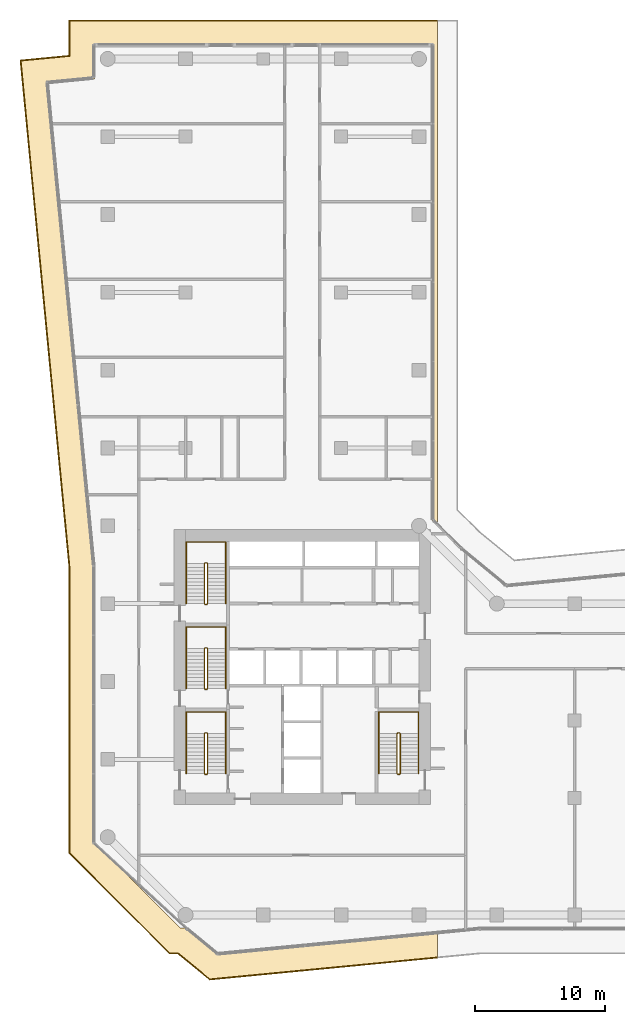
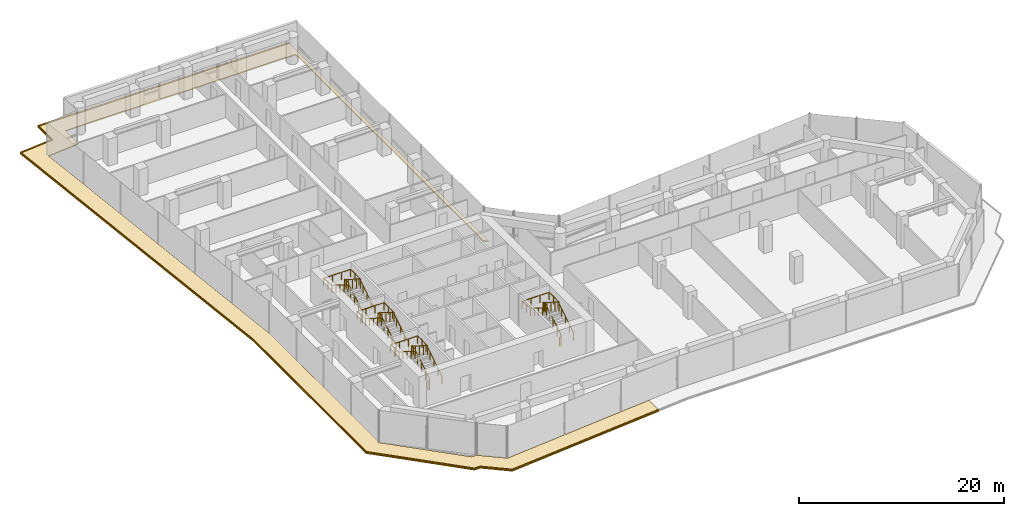
# One storey, part 29 of 30: 8 railings, 2 coverings.
"""IFC4 building model written with IfcOpenShell, lengths in metres."""

from ifc_helpers import new_model, si_unit, direction, frame, origin, origin_2d, place, context, subcontext, project, spatial, polyline, circle, outline, extrude, material, layer, layer_set, type_object, element, save


model = new_model("IFC4")

# Units and contexts
model_context = context("Model", 3, precision=1e-05, world=origin(), true_north=direction((0.0, 1.0)))
body_context = subcontext(model_context, "Body", "Model", "MODEL_VIEW")
ifc_project = project(units=[si_unit("LENGTHUNIT", "METRE"), si_unit("AREAUNIT", "SQUARE_METRE"), si_unit("VOLUMEUNIT", "CUBIC_METRE"), si_unit("PLANEANGLEUNIT", "RADIAN"), si_unit("MASSUNIT", "GRAM", prefix="KILO")], contexts=[model_context])

# Site, building, storey
site_placement = place(None, origin())
site = spatial("IfcSite", under=ifc_project, at=site_placement, CompositionType="ELEMENT")
building_placement = place(site_placement, origin())
building = spatial("IfcBuilding", under=site, at=building_placement, Name="Welwitschia Terrace Campus", CompositionType="ELEMENT")
storey_placement = place(building_placement, frame((0.0, 0.0, 75.199951171875)))
storey = spatial("IfcBuildingStorey", under=building, at=storey_placement, Name="L17", CompositionType="ELEMENT", Elevation=75.199951171875)

# Railings
ifc_material_1 = material(Name="Steel S355", Category="steel")
railing_type_1 = type_object("IfcRailingType", Name="Stair guard 1100", PredefinedType="GUARDRAIL", material=ifc_material_1)
railing_1_placement = place(storey_placement, frame((7.5, 6.85009765625, 0.0)))
element("IfcRailing", 1, at=railing_1_placement, inside=storey, type_object=railing_type_1, Name="L17 S1 stair guard", PredefinedType="GUARDRAIL", context=body_context, shape_type="SweptSolid", body=[
    extrude(circle(Radius=0.02392578125, at=origin_2d()), frame((0.0, 0.0, 1.076171875), z_axis=(1.0, 0.0, 0.0), x_axis=(0.0, 1.0, 0.0)), (0.0, 0.0, 1.0), 0.14990234375),
    extrude(circle(Radius=0.02392578125, at=origin_2d()), frame((0.14990234375, 0.0, 1.076171875), z_axis=(0.265155923931, 0.263862480399, 0.927399011991), x_axis=(-0.705375805398, 0.708833529934, 0.0)), (0.0, 0.0, 1.0), 0.188720703125),
    extrude(circle(Radius=0.02392578125, at=origin_2d()), frame((0.199951171875, 0.0498046875, 1.2509765625), z_axis=(0.0, 0.847998304005, 0.529998940003), x_axis=(-1.0, 0.0, 0.0)), (0.0, 0.0, 1.0), 3.632080078125),
    extrude(circle(Radius=0.02392578125, at=origin_2d()), frame((0.199951171875, 3.1298828125, 3.17626953125), z_axis=(-0.707106781187, 0.707106781187, 0.0), x_axis=(-0.707106781187, -0.707106781187, 0.0)), (0.0, 0.0, 1.0), 0.07080078125),
    extrude(circle(Radius=0.02392578125, at=origin_2d()), frame((0.14990234375, 3.179931640625, 3.17626953125), z_axis=(-1.0, 0.0, 0.0), x_axis=(0.0, -1.0, 0.0)), (0.0, 0.0, 1.0), 0.14990234375),
    extrude(circle(Radius=0.02392578125, at=origin_2d()), frame((0.0, 3.179931640625, 3.17626953125), z_axis=(-0.265065253269, -0.265065253269, 0.927081885822), x_axis=(0.707106781187, -0.707106781187, 0.0)), (0.0, 0.0, 1.0), 0.188720703125),
    extrude(circle(Radius=0.02392578125, at=origin_2d()), frame((-0.050048828125, 3.1298828125, 3.35107421875), z_axis=(0.0, -0.848028513186, 0.529950602248), x_axis=(1.0, 0.0, 0.0)), (0.0, 0.0, 1.0), 3.632080078125),
    extrude(circle(Radius=0.02099609375, at=origin_2d()), origin(), (0.0, 0.0, 1.0), 1.052001953125),
    extrude(circle(Radius=0.02099609375, at=origin_2d()), frame((0.14990234375, 0.0, 0.0)), (0.0, 0.0, 1.0), 1.052001953125),
    extrude(circle(Radius=0.02099609375, at=origin_2d()), frame((0.199951171875, 0.0498046875, 0.175048828125)), (0.0, 0.0, 1.0), 1.052001953125),
    extrude(circle(Radius=0.02099609375, at=origin_2d()), frame((0.199951171875, 0.81982421875, 0.65625)), (0.0, 0.0, 1.0), 1.052001953125),
    extrude(circle(Radius=0.02099609375, at=origin_2d()), frame((0.199951171875, 1.58984375, 1.1376953125)), (0.0, 0.0, 1.0), 1.052001953125),
    extrude(circle(Radius=0.02099609375, at=origin_2d()), frame((0.199951171875, 2.35986328125, 1.618896484375)), (0.0, 0.0, 1.0), 1.052001953125),
    extrude(circle(Radius=0.02099609375, at=origin_2d()), frame((0.199951171875, 3.1298828125, 2.10009765625)), (0.0, 0.0, 1.0), 1.052001953125),
    extrude(circle(Radius=0.02099609375, at=origin_2d()), frame((0.14990234375, 3.179931640625, 2.10009765625)), (0.0, 0.0, 1.0), 1.052001953125),
    extrude(circle(Radius=0.02099609375, at=origin_2d()), frame((0.0, 3.179931640625, 2.10009765625)), (0.0, 0.0, 1.0), 1.052001953125),
    extrude(circle(Radius=0.02099609375, at=origin_2d()), frame((-0.050048828125, 3.1298828125, 2.275146484375)), (0.0, 0.0, 1.0), 1.052001953125),
    extrude(circle(Radius=0.02099609375, at=origin_2d()), frame((-0.050048828125, 2.35986328125, 2.75634765625)), (0.0, 0.0, 1.0), 1.052001953125),
    extrude(circle(Radius=0.02099609375, at=origin_2d()), frame((-0.050048828125, 1.58984375, 3.237548828125)), (0.0, 0.0, 1.0), 1.052001953125),
    extrude(circle(Radius=0.02099609375, at=origin_2d()), frame((-0.050048828125, 0.81982421875, 3.71875)), (0.0, 0.0, 1.0), 1.052001953125),
    extrude(circle(Radius=0.02099609375, at=origin_2d()), frame((-0.050048828125, 0.0498046875, 4.199951171875)), (0.0, 0.0, 1.0), 1.052001953125),
])
railing_2_placement = place(storey_placement, frame((7.5, 13.39990234375, 0.0)))
element("IfcRailing", 2, at=railing_2_placement, inside=storey, type_object=railing_type_1, Name="L17 S3 stair guard", PredefinedType="GUARDRAIL", context=body_context, shape_type="SweptSolid", body=[
    extrude(circle(Radius=0.02392578125, at=origin_2d()), frame((0.0, 0.0, 1.076171875), z_axis=(1.0, 0.0, 0.0), x_axis=(0.0, 1.0, 0.0)), (0.0, 0.0, 1.0), 0.14990234375),
    extrude(circle(Radius=0.02392578125, at=origin_2d()), frame((0.14990234375, 0.0, 1.076171875), z_axis=(0.265065253269, 0.265065253269, 0.927081885822), x_axis=(-0.707106781187, 0.707106781187, 0.0)), (0.0, 0.0, 1.0), 0.188720703125),
    extrude(circle(Radius=0.02392578125, at=origin_2d()), frame((0.199951171875, 0.050048828125, 1.2509765625), z_axis=(0.0, 0.847998304005, 0.529998940003), x_axis=(-1.0, 0.0, 0.0)), (0.0, 0.0, 1.0), 3.632080078125),
    extrude(circle(Radius=0.02392578125, at=origin_2d()), frame((0.199951171875, 3.130126953125, 3.17626953125), z_axis=(-0.707106781187, 0.707106781187, 0.0), x_axis=(-0.707106781187, -0.707106781187, 0.0)), (0.0, 0.0, 1.0), 0.07080078125),
    extrude(circle(Radius=0.02392578125, at=origin_2d()), frame((0.14990234375, 3.18017578125, 3.17626953125), z_axis=(-1.0, 0.0, 0.0), x_axis=(0.0, -1.0, 0.0)), (0.0, 0.0, 1.0), 0.14990234375),
    extrude(circle(Radius=0.02392578125, at=origin_2d()), frame((0.0, 3.18017578125, 3.17626953125), z_axis=(-0.265065253269, -0.265065253269, 0.927081885822), x_axis=(0.707106781187, -0.707106781187, 0.0)), (0.0, 0.0, 1.0), 0.188720703125),
    extrude(circle(Radius=0.02392578125, at=origin_2d()), frame((-0.050048828125, 3.130126953125, 3.35107421875), z_axis=(0.0, -0.848028513186, 0.529950602248), x_axis=(1.0, 0.0, 0.0)), (0.0, 0.0, 1.0), 3.632080078125),
    extrude(circle(Radius=0.02099609375, at=origin_2d()), origin(), (0.0, 0.0, 1.0), 1.052001953125),
    extrude(circle(Radius=0.02099609375, at=origin_2d()), frame((0.14990234375, 0.0, 0.0)), (0.0, 0.0, 1.0), 1.052001953125),
    extrude(circle(Radius=0.02099609375, at=origin_2d()), frame((0.199951171875, 0.050048828125, 0.175048828125)), (0.0, 0.0, 1.0), 1.052001953125),
    extrude(circle(Radius=0.02099609375, at=origin_2d()), frame((0.199951171875, 0.820068359375, 0.65625)), (0.0, 0.0, 1.0), 1.052001953125),
    extrude(circle(Radius=0.02099609375, at=origin_2d()), frame((0.199951171875, 1.590087890625, 1.1376953125)), (0.0, 0.0, 1.0), 1.052001953125),
    extrude(circle(Radius=0.02099609375, at=origin_2d()), frame((0.199951171875, 2.360107421875, 1.618896484375)), (0.0, 0.0, 1.0), 1.052001953125),
    extrude(circle(Radius=0.02099609375, at=origin_2d()), frame((0.199951171875, 3.130126953125, 2.10009765625)), (0.0, 0.0, 1.0), 1.052001953125),
    extrude(circle(Radius=0.02099609375, at=origin_2d()), frame((0.14990234375, 3.18017578125, 2.10009765625)), (0.0, 0.0, 1.0), 1.052001953125),
    extrude(circle(Radius=0.02099609375, at=origin_2d()), frame((0.0, 3.18017578125, 2.10009765625)), (0.0, 0.0, 1.0), 1.052001953125),
    extrude(circle(Radius=0.02099609375, at=origin_2d()), frame((-0.050048828125, 3.130126953125, 2.275146484375)), (0.0, 0.0, 1.0), 1.052001953125),
    extrude(circle(Radius=0.02099609375, at=origin_2d()), frame((-0.050048828125, 2.360107421875, 2.75634765625)), (0.0, 0.0, 1.0), 1.052001953125),
    extrude(circle(Radius=0.02099609375, at=origin_2d()), frame((-0.050048828125, 1.590087890625, 3.237548828125)), (0.0, 0.0, 1.0), 1.052001953125),
    extrude(circle(Radius=0.02099609375, at=origin_2d()), frame((-0.050048828125, 0.820068359375, 3.71875)), (0.0, 0.0, 1.0), 1.052001953125),
    extrude(circle(Radius=0.02099609375, at=origin_2d()), frame((-0.050048828125, 0.050048828125, 4.199951171875)), (0.0, 0.0, 1.0), 1.052001953125),
])
railing_3_placement = place(storey_placement, frame((7.5, 19.949951171875, 0.0)))
element("IfcRailing", 3, at=railing_3_placement, inside=storey, type_object=railing_type_1, Name="L17 S4 stair guard", PredefinedType="GUARDRAIL", context=body_context, shape_type="SweptSolid", body=[
    extrude(circle(Radius=0.02392578125, at=origin_2d()), frame((0.0, 0.0, 1.076171875), z_axis=(1.0, 0.0, 0.0), x_axis=(0.0, 1.0, 0.0)), (0.0, 0.0, 1.0), 0.14990234375),
    extrude(circle(Radius=0.02392578125, at=origin_2d()), frame((0.14990234375, 0.0, 1.076171875), z_axis=(0.265065253269, 0.265065253269, 0.927081885822), x_axis=(-0.707106781187, 0.707106781187, 0.0)), (0.0, 0.0, 1.0), 0.188720703125),
    extrude(circle(Radius=0.02392578125, at=origin_2d()), frame((0.199951171875, 0.050048828125, 1.2509765625), z_axis=(0.0, 0.847998304005, 0.529998940003), x_axis=(-1.0, 0.0, 0.0)), (0.0, 0.0, 1.0), 3.632080078125),
    extrude(circle(Radius=0.02392578125, at=origin_2d()), frame((0.199951171875, 3.130126953125, 3.17626953125), z_axis=(-0.708833529934, 0.705375805398, 0.0), x_axis=(-0.705375805398, -0.708833529934, 0.0)), (0.0, 0.0, 1.0), 0.070556640625),
    extrude(circle(Radius=0.02392578125, at=origin_2d()), frame((0.14990234375, 3.179931640625, 3.17626953125), z_axis=(-1.0, 0.0, 0.0), x_axis=(0.0, -1.0, 0.0)), (0.0, 0.0, 1.0), 0.14990234375),
    extrude(circle(Radius=0.02392578125, at=origin_2d()), frame((0.0, 3.179931640625, 3.17626953125), z_axis=(-0.265155923931, -0.263862480399, 0.927399011991), x_axis=(0.705375805398, -0.708833529934, 0.0)), (0.0, 0.0, 1.0), 0.188720703125),
    extrude(circle(Radius=0.02392578125, at=origin_2d()), frame((-0.050048828125, 3.130126953125, 3.35107421875), z_axis=(0.0, -0.848028513186, 0.529950602248), x_axis=(1.0, 0.0, 0.0)), (0.0, 0.0, 1.0), 3.632080078125),
    extrude(circle(Radius=0.02099609375, at=origin_2d()), origin(), (0.0, 0.0, 1.0), 1.052001953125),
    extrude(circle(Radius=0.02099609375, at=origin_2d()), frame((0.14990234375, 0.0, 0.0)), (0.0, 0.0, 1.0), 1.052001953125),
    extrude(circle(Radius=0.02099609375, at=origin_2d()), frame((0.199951171875, 0.050048828125, 0.175048828125)), (0.0, 0.0, 1.0), 1.052001953125),
    extrude(circle(Radius=0.02099609375, at=origin_2d()), frame((0.199951171875, 0.820068359375, 0.65625)), (0.0, 0.0, 1.0), 1.052001953125),
    extrude(circle(Radius=0.02099609375, at=origin_2d()), frame((0.199951171875, 1.590087890625, 1.1376953125)), (0.0, 0.0, 1.0), 1.052001953125),
    extrude(circle(Radius=0.02099609375, at=origin_2d()), frame((0.199951171875, 2.360107421875, 1.618896484375)), (0.0, 0.0, 1.0), 1.052001953125),
    extrude(circle(Radius=0.02099609375, at=origin_2d()), frame((0.199951171875, 3.130126953125, 2.10009765625)), (0.0, 0.0, 1.0), 1.052001953125),
    extrude(circle(Radius=0.02099609375, at=origin_2d()), frame((0.14990234375, 3.179931640625, 2.10009765625)), (0.0, 0.0, 1.0), 1.052001953125),
    extrude(circle(Radius=0.02099609375, at=origin_2d()), frame((0.0, 3.179931640625, 2.10009765625)), (0.0, 0.0, 1.0), 1.052001953125),
    extrude(circle(Radius=0.02099609375, at=origin_2d()), frame((-0.050048828125, 3.130126953125, 2.275146484375)), (0.0, 0.0, 1.0), 1.052001953125),
    extrude(circle(Radius=0.02099609375, at=origin_2d()), frame((-0.050048828125, 2.360107421875, 2.75634765625)), (0.0, 0.0, 1.0), 1.052001953125),
    extrude(circle(Radius=0.02099609375, at=origin_2d()), frame((-0.050048828125, 1.590087890625, 3.237548828125)), (0.0, 0.0, 1.0), 1.052001953125),
    extrude(circle(Radius=0.02099609375, at=origin_2d()), frame((-0.050048828125, 0.820068359375, 3.71875)), (0.0, 0.0, 1.0), 1.052001953125),
    extrude(circle(Radius=0.02099609375, at=origin_2d()), frame((-0.050048828125, 0.050048828125, 4.199951171875)), (0.0, 0.0, 1.0), 1.052001953125),
])
railing_4_placement = place(storey_placement, frame((22.35009765625, 6.85009765625, 0.0)))
element("IfcRailing", 4, at=railing_4_placement, inside=storey, type_object=railing_type_1, Name="L17 S2 stair guard", PredefinedType="GUARDRAIL", context=body_context, shape_type="SweptSolid", body=[
    extrude(circle(Radius=0.02392578125, at=origin_2d()), frame((0.0, 0.0, 1.076171875), z_axis=(1.0, 0.0, 0.0), x_axis=(0.0, 1.0, 0.0)), (0.0, 0.0, 1.0), 0.14990234375),
    extrude(circle(Radius=0.02392578125, at=origin_2d()), frame((0.14990234375, 0.0, 1.076171875), z_axis=(0.265155923931, 0.263862480399, 0.927399011991), x_axis=(-0.705375805398, 0.708833529934, 0.0)), (0.0, 0.0, 1.0), 0.188720703125),
    extrude(circle(Radius=0.02392578125, at=origin_2d()), frame((0.199951171875, 0.0498046875, 1.2509765625), z_axis=(0.0, 0.847998304005, 0.529998940003), x_axis=(-1.0, 0.0, 0.0)), (0.0, 0.0, 1.0), 3.632080078125),
    extrude(circle(Radius=0.02392578125, at=origin_2d()), frame((0.199951171875, 3.1298828125, 3.17626953125), z_axis=(-0.707106781187, 0.707106781187, 0.0), x_axis=(-0.707106781187, -0.707106781187, 0.0)), (0.0, 0.0, 1.0), 0.07080078125),
    extrude(circle(Radius=0.02392578125, at=origin_2d()), frame((0.14990234375, 3.179931640625, 3.17626953125), z_axis=(-1.0, 0.0, 0.0), x_axis=(0.0, -1.0, 0.0)), (0.0, 0.0, 1.0), 0.14990234375),
    extrude(circle(Radius=0.02392578125, at=origin_2d()), frame((0.0, 3.179931640625, 3.17626953125), z_axis=(-0.265065253269, -0.265065253269, 0.927081885822), x_axis=(0.707106781187, -0.707106781187, 0.0)), (0.0, 0.0, 1.0), 0.188720703125),
    extrude(circle(Radius=0.02392578125, at=origin_2d()), frame((-0.050048828125, 3.1298828125, 3.35107421875), z_axis=(0.0, -0.848028513186, 0.529950602248), x_axis=(1.0, 0.0, 0.0)), (0.0, 0.0, 1.0), 3.632080078125),
    extrude(circle(Radius=0.02099609375, at=origin_2d()), origin(), (0.0, 0.0, 1.0), 1.052001953125),
    extrude(circle(Radius=0.02099609375, at=origin_2d()), frame((0.14990234375, 0.0, 0.0)), (0.0, 0.0, 1.0), 1.052001953125),
    extrude(circle(Radius=0.02099609375, at=origin_2d()), frame((0.199951171875, 0.0498046875, 0.175048828125)), (0.0, 0.0, 1.0), 1.052001953125),
    extrude(circle(Radius=0.02099609375, at=origin_2d()), frame((0.199951171875, 0.81982421875, 0.65625)), (0.0, 0.0, 1.0), 1.052001953125),
    extrude(circle(Radius=0.02099609375, at=origin_2d()), frame((0.199951171875, 1.58984375, 1.1376953125)), (0.0, 0.0, 1.0), 1.052001953125),
    extrude(circle(Radius=0.02099609375, at=origin_2d()), frame((0.199951171875, 2.35986328125, 1.618896484375)), (0.0, 0.0, 1.0), 1.052001953125),
    extrude(circle(Radius=0.02099609375, at=origin_2d()), frame((0.199951171875, 3.1298828125, 2.10009765625)), (0.0, 0.0, 1.0), 1.052001953125),
    extrude(circle(Radius=0.02099609375, at=origin_2d()), frame((0.14990234375, 3.179931640625, 2.10009765625)), (0.0, 0.0, 1.0), 1.052001953125),
    extrude(circle(Radius=0.02099609375, at=origin_2d()), frame((0.0, 3.179931640625, 2.10009765625)), (0.0, 0.0, 1.0), 1.052001953125),
    extrude(circle(Radius=0.02099609375, at=origin_2d()), frame((-0.050048828125, 3.1298828125, 2.275146484375)), (0.0, 0.0, 1.0), 1.052001953125),
    extrude(circle(Radius=0.02099609375, at=origin_2d()), frame((-0.050048828125, 2.35986328125, 2.75634765625)), (0.0, 0.0, 1.0), 1.052001953125),
    extrude(circle(Radius=0.02099609375, at=origin_2d()), frame((-0.050048828125, 1.58984375, 3.237548828125)), (0.0, 0.0, 1.0), 1.052001953125),
    extrude(circle(Radius=0.02099609375, at=origin_2d()), frame((-0.050048828125, 0.81982421875, 3.71875)), (0.0, 0.0, 1.0), 1.052001953125),
    extrude(circle(Radius=0.02099609375, at=origin_2d()), frame((-0.050048828125, 0.0498046875, 4.199951171875)), (0.0, 0.0, 1.0), 1.052001953125),
])
ifc_material_2 = material(Name="Steel S355", Category="steel")
railing_type_2 = type_object("IfcRailingType", Name="Stair handrail 900", PredefinedType="HANDRAIL", material=ifc_material_2)
railing_5_placement = place(storey_placement, frame((9.10009765625, 6.89990234375, 0.175048828125)))
element("IfcRailing", 5, at=railing_5_placement, inside=storey, type_object=railing_type_2, Name="L17 S1 stair handrail", PredefinedType="HANDRAIL", context=body_context, shape_type="SweptSolid", body=[
    extrude(circle(Radius=0.02392578125, at=origin_2d()), frame((0.0, 0.0, 0.8759765625), z_axis=(0.0, 0.847998304005, 0.529998940003), x_axis=(-1.0, 0.0, 0.0)), (0.0, 0.0, 1.0), 3.632080078125),
    extrude(circle(Radius=0.02392578125, at=origin_2d()), frame((0.0, 3.080078125, 2.80078125), z_axis=(0.0, 1.0, 0.0), x_axis=(-1.0, 0.0, 0.0)), (0.0, 0.0, 1.0), 1.669921875),
    extrude(circle(Radius=0.02392578125, at=origin_2d()), frame((0.0, 4.75, 2.80078125), z_axis=(-1.0, 0.0, 0.0), x_axis=(0.0, -1.0, 0.0)), (0.0, 0.0, 1.0), 3.050048828125),
    extrude(circle(Radius=0.02392578125, at=origin_2d()), frame((-3.050048828125, 4.75, 2.80078125), z_axis=(0.0, -0.99455077262, 0.104253348533), x_axis=(1.0, 0.0, 0.0)), (0.0, 0.0, 1.0), 1.678955078125),
    extrude(circle(Radius=0.02392578125, at=origin_2d()), frame((-3.050048828125, 3.080078125, 2.97607421875), z_axis=(0.0, -0.848028513186, 0.529950602248), x_axis=(1.0, 0.0, 0.0)), (0.0, 0.0, 1.0), 3.632080078125),
    extrude(circle(Radius=0.02099609375, at=origin_2d()), origin(), (0.0, 0.0, 1.0), 0.851806640625),
    extrude(circle(Radius=0.02099609375, at=origin_2d()), frame((0.0, 0.77001953125, 0.481201171875)), (0.0, 0.0, 1.0), 0.851806640625),
    extrude(circle(Radius=0.02099609375, at=origin_2d()), frame((0.0, 1.5400390625, 0.96240234375)), (0.0, 0.0, 1.0), 0.851806640625),
    extrude(circle(Radius=0.02099609375, at=origin_2d()), frame((0.0, 2.31005859375, 1.44384765625)), (0.0, 0.0, 1.0), 0.851806640625),
    extrude(circle(Radius=0.02099609375, at=origin_2d()), frame((0.0, 3.080078125, 1.925048828125)), (0.0, 0.0, 1.0), 0.851806640625),
    extrude(circle(Radius=0.02099609375, at=origin_2d()), frame((0.0, 3.9150390625, 1.925048828125)), (0.0, 0.0, 1.0), 0.851806640625),
    extrude(circle(Radius=0.02099609375, at=origin_2d()), frame((0.0, 4.75, 1.925048828125)), (0.0, 0.0, 1.0), 0.851806640625),
    extrude(circle(Radius=0.02099609375, at=origin_2d()), frame((-1.0166015625, 4.75, 1.925048828125)), (0.0, 0.0, 1.0), 0.851806640625),
    extrude(circle(Radius=0.02099609375, at=origin_2d()), frame((-2.033447265625, 4.75, 1.925048828125)), (0.0, 0.0, 1.0), 0.851806640625),
    extrude(circle(Radius=0.02099609375, at=origin_2d()), frame((-3.050048828125, 4.75, 1.925048828125)), (0.0, 0.0, 1.0), 0.851806640625),
    extrude(circle(Radius=0.02099609375, at=origin_2d()), frame((-3.050048828125, 3.9150390625, 2.0126953125)), (0.0, 0.0, 1.0), 0.851806640625),
    extrude(circle(Radius=0.02099609375, at=origin_2d()), frame((-3.050048828125, 3.080078125, 2.10009765625)), (0.0, 0.0, 1.0), 0.851806640625),
    extrude(circle(Radius=0.02099609375, at=origin_2d()), frame((-3.050048828125, 2.31005859375, 2.581298828125)), (0.0, 0.0, 1.0), 0.851806640625),
    extrude(circle(Radius=0.02099609375, at=origin_2d()), frame((-3.050048828125, 1.5400390625, 3.0625)), (0.0, 0.0, 1.0), 0.851806640625),
    extrude(circle(Radius=0.02099609375, at=origin_2d()), frame((-3.050048828125, 0.77001953125, 3.543701171875)), (0.0, 0.0, 1.0), 0.851806640625),
    extrude(circle(Radius=0.02099609375, at=origin_2d()), frame((-3.050048828125, 0.0, 4.02490234375)), (0.0, 0.0, 1.0), 0.851806640625),
])
railing_6_placement = place(storey_placement, frame((9.10009765625, 13.449951171875, 0.175048828125)))
element("IfcRailing", 6, at=railing_6_placement, inside=storey, type_object=railing_type_2, Name="L17 S3 stair handrail", PredefinedType="HANDRAIL", context=body_context, shape_type="SweptSolid", body=[
    extrude(circle(Radius=0.02392578125, at=origin_2d()), frame((0.0, 0.0, 0.8759765625), z_axis=(0.0, 0.847998304005, 0.529998940003), x_axis=(-1.0, 0.0, 0.0)), (0.0, 0.0, 1.0), 3.632080078125),
    extrude(circle(Radius=0.02392578125, at=origin_2d()), frame((0.0, 3.080078125, 2.80078125), z_axis=(0.0, 1.0, 0.0), x_axis=(-1.0, 0.0, 0.0)), (0.0, 0.0, 1.0), 1.669921875),
    extrude(circle(Radius=0.02392578125, at=origin_2d()), frame((0.0, 4.75, 2.80078125), z_axis=(-1.0, 0.0, 0.0), x_axis=(0.0, -1.0, 0.0)), (0.0, 0.0, 1.0), 3.050048828125),
    extrude(circle(Radius=0.02392578125, at=origin_2d()), frame((-3.050048828125, 4.75, 2.80078125), z_axis=(0.0, -0.99455077262, 0.104253348533), x_axis=(1.0, 0.0, 0.0)), (0.0, 0.0, 1.0), 1.678955078125),
    extrude(circle(Radius=0.02392578125, at=origin_2d()), frame((-3.050048828125, 3.080078125, 2.97607421875), z_axis=(0.0, -0.848028513186, 0.529950602248), x_axis=(1.0, 0.0, 0.0)), (0.0, 0.0, 1.0), 3.632080078125),
    extrude(circle(Radius=0.02099609375, at=origin_2d()), origin(), (0.0, 0.0, 1.0), 0.851806640625),
    extrude(circle(Radius=0.02099609375, at=origin_2d()), frame((0.0, 0.77001953125, 0.481201171875)), (0.0, 0.0, 1.0), 0.851806640625),
    extrude(circle(Radius=0.02099609375, at=origin_2d()), frame((0.0, 1.5400390625, 0.96240234375)), (0.0, 0.0, 1.0), 0.851806640625),
    extrude(circle(Radius=0.02099609375, at=origin_2d()), frame((0.0, 2.31005859375, 1.44384765625)), (0.0, 0.0, 1.0), 0.851806640625),
    extrude(circle(Radius=0.02099609375, at=origin_2d()), frame((0.0, 3.080078125, 1.925048828125)), (0.0, 0.0, 1.0), 0.851806640625),
    extrude(circle(Radius=0.02099609375, at=origin_2d()), frame((0.0, 3.9150390625, 1.925048828125)), (0.0, 0.0, 1.0), 0.851806640625),
    extrude(circle(Radius=0.02099609375, at=origin_2d()), frame((0.0, 4.75, 1.925048828125)), (0.0, 0.0, 1.0), 0.851806640625),
    extrude(circle(Radius=0.02099609375, at=origin_2d()), frame((-1.0166015625, 4.75, 1.925048828125)), (0.0, 0.0, 1.0), 0.851806640625),
    extrude(circle(Radius=0.02099609375, at=origin_2d()), frame((-2.033447265625, 4.75, 1.925048828125)), (0.0, 0.0, 1.0), 0.851806640625),
    extrude(circle(Radius=0.02099609375, at=origin_2d()), frame((-3.050048828125, 4.75, 1.925048828125)), (0.0, 0.0, 1.0), 0.851806640625),
    extrude(circle(Radius=0.02099609375, at=origin_2d()), frame((-3.050048828125, 3.9150390625, 2.0126953125)), (0.0, 0.0, 1.0), 0.851806640625),
    extrude(circle(Radius=0.02099609375, at=origin_2d()), frame((-3.050048828125, 3.080078125, 2.10009765625)), (0.0, 0.0, 1.0), 0.851806640625),
    extrude(circle(Radius=0.02099609375, at=origin_2d()), frame((-3.050048828125, 2.31005859375, 2.581298828125)), (0.0, 0.0, 1.0), 0.851806640625),
    extrude(circle(Radius=0.02099609375, at=origin_2d()), frame((-3.050048828125, 1.5400390625, 3.0625)), (0.0, 0.0, 1.0), 0.851806640625),
    extrude(circle(Radius=0.02099609375, at=origin_2d()), frame((-3.050048828125, 0.77001953125, 3.543701171875)), (0.0, 0.0, 1.0), 0.851806640625),
    extrude(circle(Radius=0.02099609375, at=origin_2d()), frame((-3.050048828125, 0.0, 4.02490234375)), (0.0, 0.0, 1.0), 0.851806640625),
])
railing_7_placement = place(storey_placement, frame((9.10009765625, 20.0, 0.175048828125)))
element("IfcRailing", 7, at=railing_7_placement, inside=storey, type_object=railing_type_2, Name="L17 S4 stair handrail", PredefinedType="HANDRAIL", context=body_context, shape_type="SweptSolid", body=[
    extrude(circle(Radius=0.02392578125, at=origin_2d()), frame((0.0, 0.0, 0.8759765625), z_axis=(0.0, 0.847998304005, 0.529998940003), x_axis=(-1.0, 0.0, 0.0)), (0.0, 0.0, 1.0), 3.632080078125),
    extrude(circle(Radius=0.02392578125, at=origin_2d()), frame((0.0, 3.080078125, 2.80078125), z_axis=(0.0, 1.0, 0.0), x_axis=(-1.0, 0.0, 0.0)), (0.0, 0.0, 1.0), 1.669921875),
    extrude(circle(Radius=0.02392578125, at=origin_2d()), frame((0.0, 4.75, 2.80078125), z_axis=(-1.0, 0.0, 0.0), x_axis=(0.0, -1.0, 0.0)), (0.0, 0.0, 1.0), 3.050048828125),
    extrude(circle(Radius=0.02392578125, at=origin_2d()), frame((-3.050048828125, 4.75, 2.80078125), z_axis=(0.0, -0.99455077262, 0.104253348533), x_axis=(1.0, 0.0, 0.0)), (0.0, 0.0, 1.0), 1.678955078125),
    extrude(circle(Radius=0.02392578125, at=origin_2d()), frame((-3.050048828125, 3.080078125, 2.97607421875), z_axis=(0.0, -0.848028513186, 0.529950602248), x_axis=(1.0, 0.0, 0.0)), (0.0, 0.0, 1.0), 3.632080078125),
    extrude(circle(Radius=0.02099609375, at=origin_2d()), origin(), (0.0, 0.0, 1.0), 0.851806640625),
    extrude(circle(Radius=0.02099609375, at=origin_2d()), frame((0.0, 0.77001953125, 0.481201171875)), (0.0, 0.0, 1.0), 0.851806640625),
    extrude(circle(Radius=0.02099609375, at=origin_2d()), frame((0.0, 1.5400390625, 0.96240234375)), (0.0, 0.0, 1.0), 0.851806640625),
    extrude(circle(Radius=0.02099609375, at=origin_2d()), frame((0.0, 2.31005859375, 1.44384765625)), (0.0, 0.0, 1.0), 0.851806640625),
    extrude(circle(Radius=0.02099609375, at=origin_2d()), frame((0.0, 3.080078125, 1.925048828125)), (0.0, 0.0, 1.0), 0.851806640625),
    extrude(circle(Radius=0.02099609375, at=origin_2d()), frame((0.0, 3.9150390625, 1.925048828125)), (0.0, 0.0, 1.0), 0.851806640625),
    extrude(circle(Radius=0.02099609375, at=origin_2d()), frame((0.0, 4.75, 1.925048828125)), (0.0, 0.0, 1.0), 0.851806640625),
    extrude(circle(Radius=0.02099609375, at=origin_2d()), frame((-1.0166015625, 4.75, 1.925048828125)), (0.0, 0.0, 1.0), 0.851806640625),
    extrude(circle(Radius=0.02099609375, at=origin_2d()), frame((-2.033447265625, 4.75, 1.925048828125)), (0.0, 0.0, 1.0), 0.851806640625),
    extrude(circle(Radius=0.02099609375, at=origin_2d()), frame((-3.050048828125, 4.75, 1.925048828125)), (0.0, 0.0, 1.0), 0.851806640625),
    extrude(circle(Radius=0.02099609375, at=origin_2d()), frame((-3.050048828125, 3.9150390625, 2.0126953125)), (0.0, 0.0, 1.0), 0.851806640625),
    extrude(circle(Radius=0.02099609375, at=origin_2d()), frame((-3.050048828125, 3.080078125, 2.10009765625)), (0.0, 0.0, 1.0), 0.851806640625),
    extrude(circle(Radius=0.02099609375, at=origin_2d()), frame((-3.050048828125, 2.31005859375, 2.581298828125)), (0.0, 0.0, 1.0), 0.851806640625),
    extrude(circle(Radius=0.02099609375, at=origin_2d()), frame((-3.050048828125, 1.5400390625, 3.0625)), (0.0, 0.0, 1.0), 0.851806640625),
    extrude(circle(Radius=0.02099609375, at=origin_2d()), frame((-3.050048828125, 0.77001953125, 3.543701171875)), (0.0, 0.0, 1.0), 0.851806640625),
    extrude(circle(Radius=0.02099609375, at=origin_2d()), frame((-3.050048828125, 0.0, 4.02490234375)), (0.0, 0.0, 1.0), 0.851806640625),
])
railing_8_placement = place(storey_placement, frame((23.949951171875, 6.89990234375, 0.175048828125)))
element("IfcRailing", 8, at=railing_8_placement, inside=storey, type_object=railing_type_2, Name="L17 S2 stair handrail", PredefinedType="HANDRAIL", context=body_context, shape_type="SweptSolid", body=[
    extrude(circle(Radius=0.02392578125, at=origin_2d()), frame((0.0, 0.0, 0.8759765625), z_axis=(0.0, 0.847998304005, 0.529998940003), x_axis=(-1.0, 0.0, 0.0)), (0.0, 0.0, 1.0), 3.632080078125),
    extrude(circle(Radius=0.02392578125, at=origin_2d()), frame((0.0, 3.080078125, 2.80078125), z_axis=(0.0, 1.0, 0.0), x_axis=(-1.0, 0.0, 0.0)), (0.0, 0.0, 1.0), 1.669921875),
    extrude(circle(Radius=0.02392578125, at=origin_2d()), frame((0.0, 4.75, 2.80078125), z_axis=(-1.0, 0.0, 0.0), x_axis=(0.0, -1.0, 0.0)), (0.0, 0.0, 1.0), 3.050048828125),
    extrude(circle(Radius=0.02392578125, at=origin_2d()), frame((-3.050048828125, 4.75, 2.80078125), z_axis=(0.0, -0.99455077262, 0.104253348533), x_axis=(1.0, 0.0, 0.0)), (0.0, 0.0, 1.0), 1.678955078125),
    extrude(circle(Radius=0.02392578125, at=origin_2d()), frame((-3.050048828125, 3.080078125, 2.97607421875), z_axis=(0.0, -0.848028513186, 0.529950602248), x_axis=(1.0, 0.0, 0.0)), (0.0, 0.0, 1.0), 3.632080078125),
    extrude(circle(Radius=0.02099609375, at=origin_2d()), origin(), (0.0, 0.0, 1.0), 0.851806640625),
    extrude(circle(Radius=0.02099609375, at=origin_2d()), frame((0.0, 0.77001953125, 0.481201171875)), (0.0, 0.0, 1.0), 0.851806640625),
    extrude(circle(Radius=0.02099609375, at=origin_2d()), frame((0.0, 1.5400390625, 0.96240234375)), (0.0, 0.0, 1.0), 0.851806640625),
    extrude(circle(Radius=0.02099609375, at=origin_2d()), frame((0.0, 2.31005859375, 1.44384765625)), (0.0, 0.0, 1.0), 0.851806640625),
    extrude(circle(Radius=0.02099609375, at=origin_2d()), frame((0.0, 3.080078125, 1.925048828125)), (0.0, 0.0, 1.0), 0.851806640625),
    extrude(circle(Radius=0.02099609375, at=origin_2d()), frame((0.0, 3.9150390625, 1.925048828125)), (0.0, 0.0, 1.0), 0.851806640625),
    extrude(circle(Radius=0.02099609375, at=origin_2d()), frame((0.0, 4.75, 1.925048828125)), (0.0, 0.0, 1.0), 0.851806640625),
    extrude(circle(Radius=0.02099609375, at=origin_2d()), frame((-1.0166015625, 4.75, 1.925048828125)), (0.0, 0.0, 1.0), 0.851806640625),
    extrude(circle(Radius=0.02099609375, at=origin_2d()), frame((-2.033447265625, 4.75, 1.925048828125)), (0.0, 0.0, 1.0), 0.851806640625),
    extrude(circle(Radius=0.02099609375, at=origin_2d()), frame((-3.050048828125, 4.75, 1.925048828125)), (0.0, 0.0, 1.0), 0.851806640625),
    extrude(circle(Radius=0.02099609375, at=origin_2d()), frame((-3.050048828125, 3.9150390625, 2.0126953125)), (0.0, 0.0, 1.0), 0.851806640625),
    extrude(circle(Radius=0.02099609375, at=origin_2d()), frame((-3.050048828125, 3.080078125, 2.10009765625)), (0.0, 0.0, 1.0), 0.851806640625),
    extrude(circle(Radius=0.02099609375, at=origin_2d()), frame((-3.050048828125, 2.31005859375, 2.581298828125)), (0.0, 0.0, 1.0), 0.851806640625),
    extrude(circle(Radius=0.02099609375, at=origin_2d()), frame((-3.050048828125, 1.5400390625, 3.0625)), (0.0, 0.0, 1.0), 0.851806640625),
    extrude(circle(Radius=0.02099609375, at=origin_2d()), frame((-3.050048828125, 0.77001953125, 3.543701171875)), (0.0, 0.0, 1.0), 0.851806640625),
    extrude(circle(Radius=0.02099609375, at=origin_2d()), frame((-3.050048828125, 0.0, 4.02490234375)), (0.0, 0.0, 1.0), 0.851806640625),
])

# Coverings
ifc_material_3 = material(Name="Bronze anodised aluminium", Category="aluminium")
ifc_layer_1 = layer(ifc_material_3, 0.1201171875)
ifc_layer_set_1 = layer_set([ifc_layer_1], Name="Bronze anodised aluminium")
covering_type_1 = type_object("IfcCoveringType", Name="Sunshade band 2000", PredefinedType="USERDEFINED", material=ifc_layer_set_1)
covering_1_placement = place(storey_placement, frame((0.0, 0.0, -0.25)))
element("IfcCovering", 9, at=covering_1_placement, inside=storey, type_object=covering_type_1, Name="SUNSHADE L17.SW0", ObjectType="SUNSHADE", PredefinedType="USERDEFINED", context=body_context, shape_type="SweptSolid", body=[
    extrude(outline(polyline([(-6.762939453125, 61.911376953125), (-3.0, 62.273681640625), (-3.0, 65.0), (25.41943359375, 65.0), (25.41943359375, 25.99462890625), (25.0, 26.414306640625), (25.0, 63.0), (-1.0, 63.0), (-1.0, 60.45703125), (-4.58056640625, 60.1123046875), (-1.0, 22.92724609375), (-1.0, 1.585693359375), (5.585693359375, -5.0), (6.135009765625, -5.0), (8.492431640625, -6.943359375), (25.41943359375, -5.3134765625), (25.41943359375, -7.32275390625), (7.859619140625, -9.013671875), (5.4169921875, -7.0), (4.75732421875, -7.0), (-3.0, 0.75732421875), (-3.0, 22.831298828125), (-6.762939453125, 61.911376953125)])), origin(), (0.0, 0.0, 1.0), 0.1201171875),
])
ifc_material_4 = material(Name="Bronze anodised aluminium", Category="aluminium")
ifc_layer_2 = layer(ifc_material_4, 0.06005859375)
ifc_layer_set_2 = layer_set([ifc_layer_2], Name="Bronze anodised aluminium")
covering_type_2 = type_object("IfcCoveringType", Name="Sunshade lip 60", PredefinedType="USERDEFINED", material=ifc_layer_set_2)
covering_2_placement = place(storey_placement, frame((0.0, 0.0, -0.1298828125)))
element("IfcCovering", 10, at=covering_2_placement, inside=storey, type_object=covering_type_2, Name="SUNSHADE LIP L17.SW0.0", ObjectType="SUNSHADE", PredefinedType="USERDEFINED", context=body_context, shape_type="SweptSolid", body=[
    extrude(outline(polyline([(-3.0, 62.273681640625), (-3.0, 65.0), (25.41943359375, 65.0), (25.41943359375, 64.93994140625), (-2.93994140625, 64.93994140625), (-2.93994140625, 62.21923828125), (-6.697509765625, 61.857421875), (-2.93994140625, 22.833984375), (-2.93994140625, 0.7822265625), (4.7822265625, -6.93994140625), (5.4384765625, -6.93994140625), (7.87841796875, -8.951416015625), (25.41943359375, -7.262451171875), (25.41943359375, -7.32275390625), (7.859619140625, -9.013671875), (5.4169921875, -7.0), (4.75732421875, -7.0), (-3.0, 0.75732421875), (-3.0, 22.831298828125), (-6.762939453125, 61.911376953125), (-3.0, 62.273681640625)])), origin(), (0.0, 0.0, 1.0), 0.1298828125),
])

save(model, "model.ifc")
